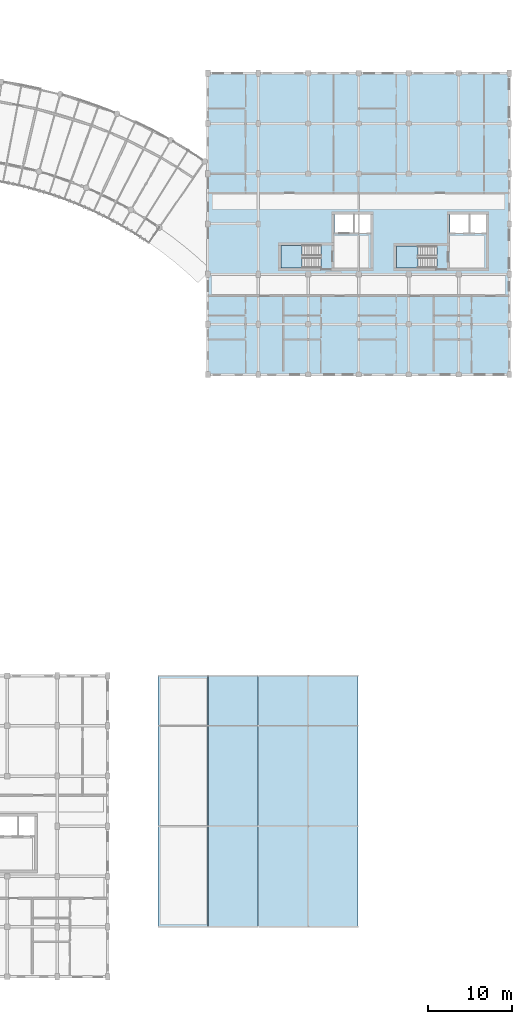
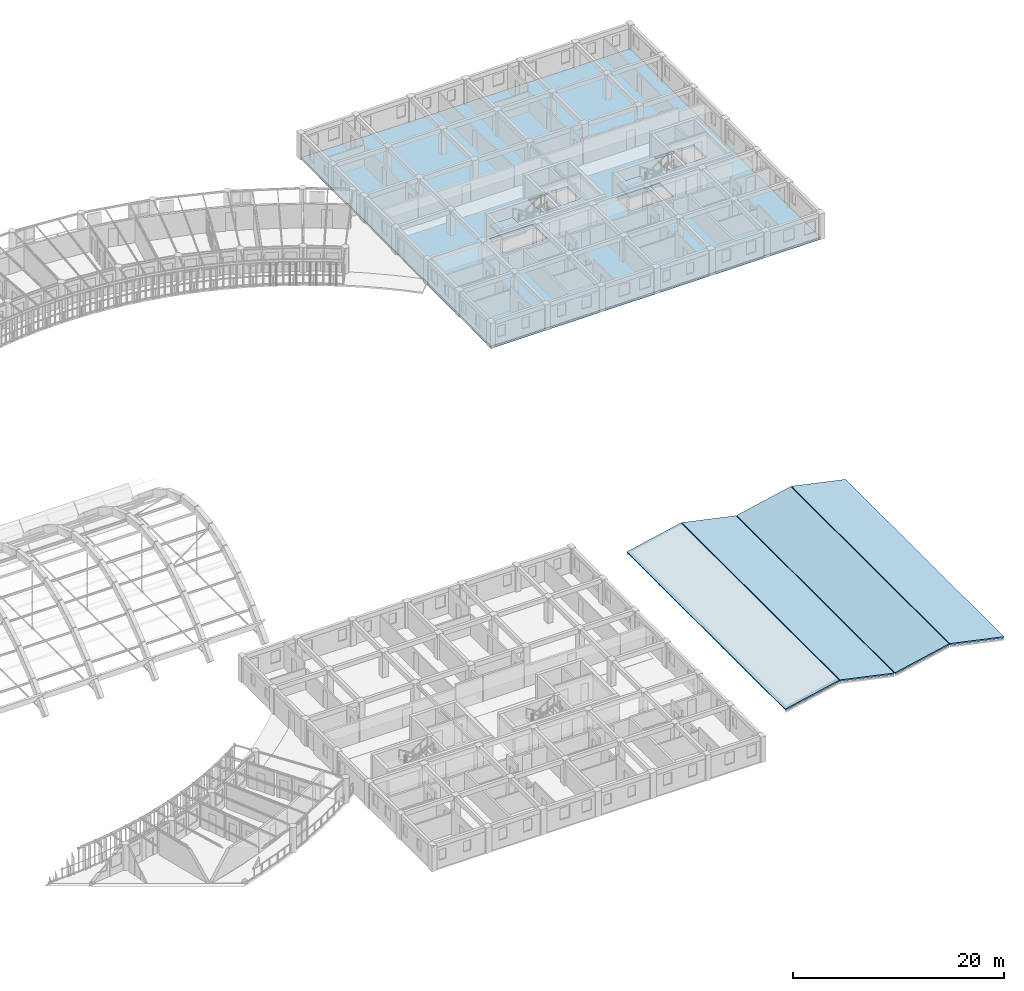
# One storey, part 67 of 123: 7 slabs, 2 elements without a shape of their own.
"""IFC4 building model written with IfcOpenShell, lengths in metres."""

from ifc_helpers import new_model, si_unit, direction, frame, origin, place, context, subcontext, project, spatial, polyline, outline, extrude, material, layer, layer_set, type_object, element, aggregate, save


model = new_model("IFC4")

# Units and contexts
model_context = context("Model", 3, precision=1e-05, world=origin(), true_north=direction((0.0, 1.0)))
body_context = subcontext(model_context, "Body", "Model", "MODEL_VIEW")
ifc_project = project(units=[si_unit("LENGTHUNIT", "METRE"), si_unit("AREAUNIT", "SQUARE_METRE"), si_unit("VOLUMEUNIT", "CUBIC_METRE"), si_unit("PLANEANGLEUNIT", "RADIAN"), si_unit("MASSUNIT", "GRAM", prefix="KILO"), si_unit("POWERUNIT", "WATT"), si_unit("THERMODYNAMICTEMPERATUREUNIT", "KELVIN")], contexts=[model_context])

# Site, building, storey
site_placement = place(None, origin())
site = spatial("IfcSite", under=ifc_project, at=site_placement, CompositionType="ELEMENT")
building_placement = place(site_placement, origin())
building = spatial("IfcBuilding", under=site, at=building_placement, Name="Ruvembo Vaulted Housing Court", CompositionType="ELEMENT")
storey_placement = place(building_placement, frame((0.0, 0.0, 7.699951171875)))
storey = spatial("IfcBuildingStorey", under=building, at=storey_placement, Name="L02", CompositionType="ELEMENT", Elevation=7.699951171875)

# Slab
ifc_material_1 = material(Name="Concrete C30/37", Category="concrete")
ifc_layer_1 = layer(ifc_material_1, 0.2548828125, Name="Concrete C30/37")
ifc_layer_set_1 = layer_set([ifc_layer_1], Name="Concrete C30/37")
slab_type_1 = type_object("IfcSlabType", Name="SL-FLR-255", PredefinedType="FLOOR", material=ifc_layer_set_1)
slab_1_placement = place(storey_placement, frame((0.0, 0.0, -0.2548828125)))
element("IfcSlab", 1, at=slab_1_placement, inside=storey, type_object=slab_type_1, Name="Block D L02 Structural Floor Slab", PredefinedType="FLOOR", context=body_context, shape_type="SweptSolid", body=[
    extrude(outline(polyline([(186.0, 72.0), (186.0, 108.0), (150.0, 108.0), (150.0, 72.0), (186.0, 72.0)]), holes=[polyline([(163.5, 87.449951171875), (158.75, 87.449951171875), (158.75, 84.75), (163.5, 84.75), (163.5, 87.449951171875)]), polyline([(165.14990234375, 88.85009765625), (167.35009765625, 88.85009765625), (167.35009765625, 91.25), (165.14990234375, 91.25), (165.14990234375, 88.85009765625)]), polyline([(167.60009765625, 88.85009765625), (169.449951171875, 88.85009765625), (169.449951171875, 91.25), (167.60009765625, 91.25), (167.60009765625, 88.85009765625)]), polyline([(177.35009765625, 87.35009765625), (172.550048828125, 87.35009765625), (172.550048828125, 84.75), (177.35009765625, 84.75), (177.35009765625, 87.35009765625)]), polyline([(178.949951171875, 88.85009765625), (181.14990234375, 88.85009765625), (181.14990234375, 91.25), (178.949951171875, 91.25), (178.949951171875, 88.85009765625)]), polyline([(181.39990234375, 88.85009765625), (183.25, 88.85009765625), (183.25, 91.25), (181.39990234375, 91.25), (181.39990234375, 88.85009765625)])]), origin(), (0.0, 0.0, 1.0), 0.2548828125),
])

# Stair, slab
ifc_material_2 = material(Name="Concrete C35/45", Category="concrete")
stair_type_1 = type_object("IfcStairType", Name="STR-CORE-1250", PredefinedType="HALF_TURN_STAIR", material=ifc_material_2)
stair_1_placement = place(storey_placement, origin())
stair_1 = element("IfcStair", 2, at=stair_1_placement, inside=storey, type_object=stair_type_1, Name="L02 Protected Exit Stair ST-D1", PredefinedType="HALF_TURN_STAIR")
ifc_layer_2 = layer(ifc_material_1, 0.201904296875, Name="Concrete C30/37")
ifc_layer_set_2 = layer_set([ifc_layer_2], Name="Concrete C30/37")
slab_type_2 = type_object("IfcSlabType", Name="SL-LAND-202", PredefinedType="LANDING", material=ifc_layer_set_2)
slab_2_placement = place(storey_placement, frame((0.0, 0.0, 1.400146484375)))
slab_2 = element("IfcSlab", 3, at=slab_2_placement, type_object=slab_type_2, Name="ST-D1 landing 1", PredefinedType="LANDING", context=body_context, shape_type="SweptSolid", body=[
    extrude(outline(polyline([(161.260009765625, 87.449951171875), (158.75, 87.449951171875), (158.75, 84.75), (161.260009765625, 84.75), (161.260009765625, 87.449951171875)])), origin(), (0.0, 0.0, 1.0), 0.199951171875),
])
aggregate(stair_1, [slab_2])

stair_type_2 = type_object("IfcStairType", Name="STR-CORE-1200", PredefinedType="HALF_TURN_STAIR", material=ifc_material_2)
stair_2_placement = place(storey_placement, origin())
stair_2 = element("IfcStair", 4, at=stair_2_placement, inside=storey, type_object=stair_type_2, Name="L02 Protected Exit Stair ST-D2", PredefinedType="HALF_TURN_STAIR")
slab_3_placement = place(storey_placement, frame((0.0, 0.0, 1.400146484375)))
slab_3 = element("IfcSlab", 5, at=slab_3_placement, type_object=slab_type_2, Name="ST-D2 landing 1", PredefinedType="LANDING", context=body_context, shape_type="SweptSolid", body=[
    extrude(outline(polyline([(175.110107421875, 87.35009765625), (172.550048828125, 87.35009765625), (172.550048828125, 84.75), (175.110107421875, 84.75), (175.110107421875, 87.35009765625)])), origin(), (0.0, 0.0, 1.0), 0.199951171875),
])
aggregate(stair_2, [slab_3])

# Slabs
ifc_layer_3 = layer(ifc_material_1, 0.159912109375, Name="Concrete C30/37")
ifc_layer_set_3 = layer_set([ifc_layer_3], Name="Concrete C30/37")
slab_type_3 = type_object("IfcSlabType", Name="SL-ROOF-160", PredefinedType="ROOF", material=ifc_layer_set_3)
for number, where, z_axis, x_axis, name in (
    (6, (144.0400390625, 6.0, 0.16015625), (-0.210569709085, 0.0, 0.977578844706), (0.977578844706, 0.0, 0.210569709085), "Shops Folded Roof West Facet 1"),
    (7, (150.0400390625, 6.0, 1.435302734375), (0.210569709085, 0.0, 0.977578844706), (0.977578844706, 0.0, -0.210569709085), "Shops Folded Roof East Facet 1"),
    (8, (156.0400390625, 6.0, 0.16015625), (-0.210569709085, 0.0, 0.977578844706), (0.977578844706, 0.0, 0.210569709085), "Shops Folded Roof West Facet 2"),
    (9, (162.0400390625, 6.0, 1.435302734375), (0.210569709085, 0.0, 0.977578844706), (0.977578844706, 0.0, -0.210569709085), "Shops Folded Roof East Facet 2"),
):
    element("IfcSlab", number, at=place(storey_placement, frame(where, z_axis=z_axis, x_axis=x_axis)), inside=storey, type_object=slab_type_3, Name=name, PredefinedType="ROOF", context=body_context, shape_type="SweptSolid", body=[
        extrude(outline(polyline([(0.0, 0.0), (6.0556976115652805, 0.0), (6.0556976115652805, 30.000000000000007), (0.0, 30.000000000000007), (0.0, 0.0)])), origin(), (0.0, 0.0, -1.0), 0.159912109375),
    ])

save(model, "model.ifc")
